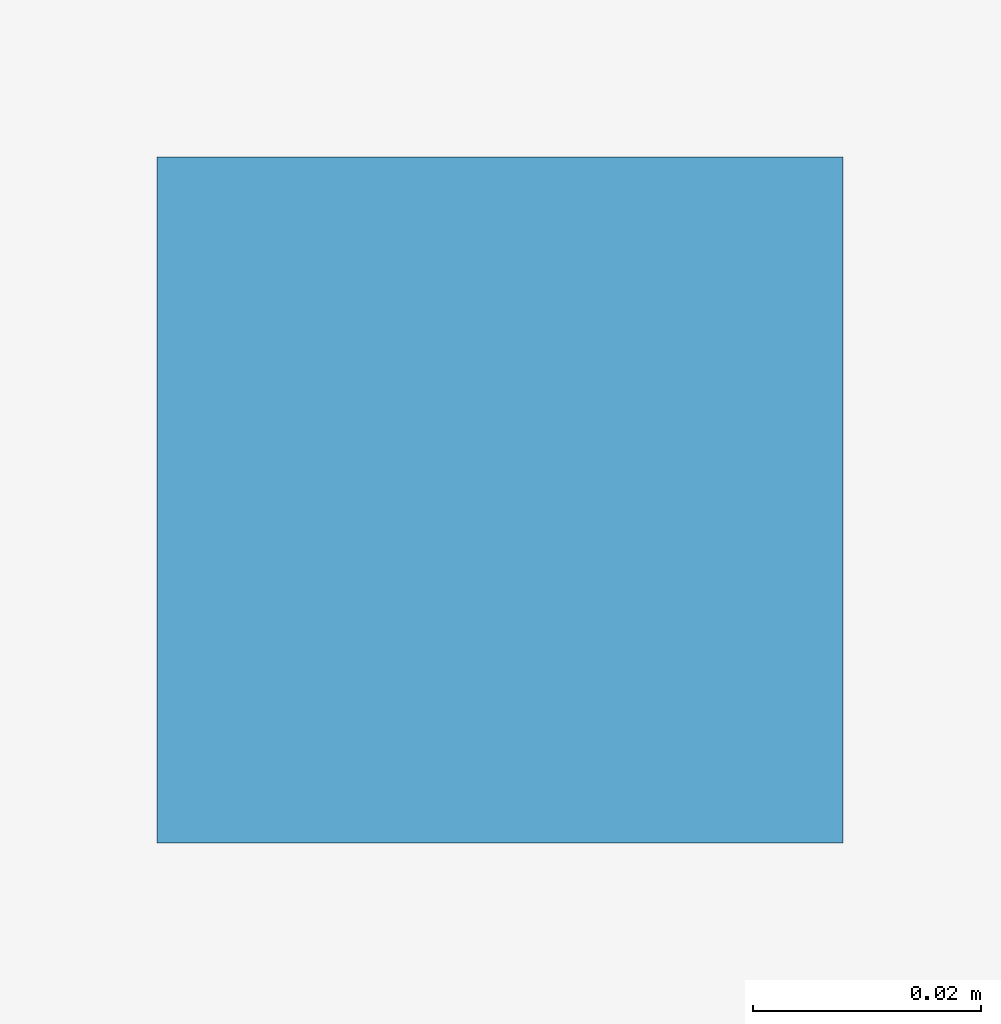
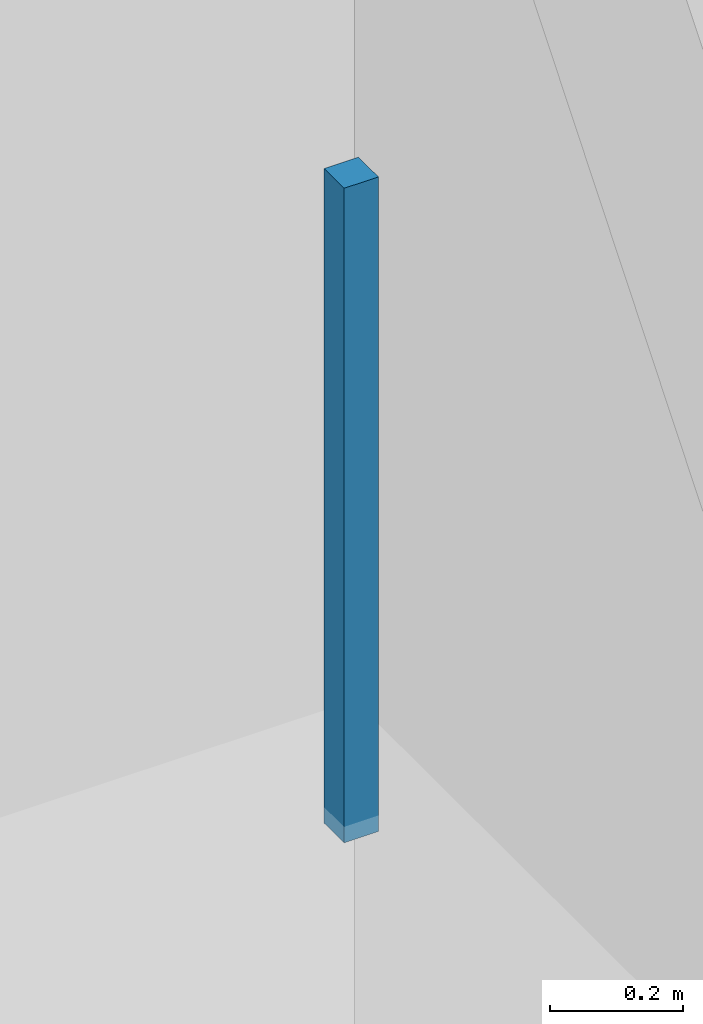
# One storey, part 48 of 59: 1 discrete accessory.
"""IFC4 building model written with IfcOpenShell, lengths in metres."""

import ifcopenshell
import ifcopenshell.guid

model = None  # the IFC model being written
_history = None  # IfcOwnerHistory: only IFC2X3 demands one
_inside = {}  # id of a spatial element -> (the spatial element, [elements in it])
_under = {}  # id of a project, library or spatial element -> (it, [spatial elements below it])
_declared = {}  # id of a project -> (the project, [libraries it declares])
_typed = {}  # id of a type object -> (the type object, [elements of that type])
_made_of = {}  # id of a material, layer set ... -> (it, [elements and type objects made of it])


def new_model(schema):
    """Start an empty IFC model of exactly this schema.

    Asked for "IFC4X3", IfcOpenShell would pick the latest addendum, in which some entities
    have other attributes; the version numbers below select the first issue.
    IFC2X3 requires an IfcOwnerHistory on every rooted entity: one is made here for all.
    """
    global model, _history
    if schema == "IFC4X3":
        model = ifcopenshell.file(schema_version=(4, 3, 0, 0))
    else:
        model = ifcopenshell.file(schema=schema)
    _inside.clear()
    _under.clear()
    _declared.clear()
    _typed.clear()
    _made_of.clear()
    _history = None
    if model.schema == "IFC2X3":
        org = make("IfcOrganization", Name="unknown")
        user = make(
            "IfcPersonAndOrganization",
            ThePerson=make("IfcPerson", FamilyName="unknown"),
            TheOrganization=org,
        )
        app = make(
            "IfcApplication",
            ApplicationDeveloper=org,
            Version="unknown",
            ApplicationFullName="unknown",
            ApplicationIdentifier="unknown",
        )
        _history = make(
            "IfcOwnerHistory",
            OwningUser=user,
            OwningApplication=app,
            ChangeAction="ADDED",
            CreationDate=0,
        )
    return model


def make(cls, **values):
    """One entity of the class cls with the attributes given. An attribute that is None is left unset."""
    return model.create_entity(
        cls, **{name: value for name, value in values.items() if value is not None}
    )


def rooted(cls, **values):
    """An entity with a GlobalId (a new one), such as an element, a storey or a relation."""
    return make(cls, GlobalId=ifcopenshell.guid.new(), OwnerHistory=_history, **values)


def si_unit(unit_type, name, prefix=None):
    """IfcSIUnit, for example si_unit("LENGTHUNIT", "METRE", prefix="MILLI")."""
    return make("IfcSIUnit", UnitType=unit_type, Prefix=prefix, Name=name)


def assignment(units):
    """IfcUnitAssignment: the units of a project."""
    return None if units is None else make("IfcUnitAssignment", Units=units)


def point(xyz):
    """IfcCartesianPoint."""
    return None if xyz is None else make("IfcCartesianPoint", Coordinates=xyz)


def direction(xyz):
    """IfcDirection."""
    return None if xyz is None else make("IfcDirection", DirectionRatios=xyz)


def frame(location, z_axis=None, x_axis=None):
    """IfcAxis2Placement3D, a coordinate frame: its origin and axes. An axis left out is left unset."""
    return make(
        "IfcAxis2Placement3D",
        Location=point(location),
        Axis=direction(z_axis),
        RefDirection=direction(x_axis),
    )


def origin():
    """The frame at (0, 0, 0) with its axes left unset."""
    return frame((0.0, 0.0, 0.0))


def place(relative_to, where):
    """IfcLocalPlacement: puts the frame where relative to a parent placement (None: the world)."""
    return make(
        "IfcLocalPlacement", PlacementRelTo=relative_to, RelativePlacement=where
    )


def context(
    kind, dimensions, precision=None, world=None, true_north=None, identifier=None
):
    """IfcGeometricRepresentationContext, for example the 3D "Model" context."""
    return make(
        "IfcGeometricRepresentationContext",
        ContextIdentifier=identifier,
        ContextType=kind,
        CoordinateSpaceDimension=dimensions,
        Precision=precision,
        WorldCoordinateSystem=world,
        TrueNorth=true_north,
    )


def subcontext(parent, identifier, kind, view, scale=None):
    """IfcGeometricRepresentationSubContext, for example "Body" below "Model"."""
    return make(
        "IfcGeometricRepresentationSubContext",
        ContextIdentifier=identifier,
        ContextType=kind,
        ParentContext=parent,
        TargetScale=scale,
        TargetView=view,
    )


def project(units=None, contexts=None):
    """IfcProject with its units and contexts."""
    return rooted(
        "IfcProject",
        Name="project",
        RepresentationContexts=contexts,
        UnitsInContext=assignment(units),
    )


def spatial(cls, under=None, at=None, **own):
    """A site, building, storey or space (cls), placed at a placement, below another one or the project."""
    s = rooted(cls, ObjectPlacement=at, **own)
    if under is not None:
        _under.setdefault(under.id(), (under, []))[1].append(s)
    return s


def polyline(points):
    """IfcPolyline through the points."""
    return make("IfcPolyline", Points=[point(p) for p in points])


def outline(outer, holes=None, kind="AREA"):
    """IfcArbitraryClosedProfileDef: a profile drawn as a closed curve; with holes, ...WithVoids."""
    if holes is None:
        return make("IfcArbitraryClosedProfileDef", ProfileType=kind, OuterCurve=outer)
    return make(
        "IfcArbitraryProfileDefWithVoids",
        ProfileType=kind,
        OuterCurve=outer,
        InnerCurves=holes,
    )


def extrude(swept, where, along, depth):
    """IfcExtrudedAreaSolid: the profile swept, set in the frame where, extruded along a direction by depth."""
    return make(
        "IfcExtrudedAreaSolid",
        SweptArea=swept,
        Position=where,
        ExtrudedDirection=direction(along),
        Depth=depth,
    )


def shape(context_of_items, identifier, shape_type, items):
    """IfcShapeRepresentation: the items that make up one representation, for example the "Body"."""
    return make(
        "IfcShapeRepresentation",
        ContextOfItems=context_of_items,
        RepresentationIdentifier=identifier,
        RepresentationType=shape_type,
        Items=items,
    )


def material(Name=None, Category=None):
    """IfcMaterial."""
    return make("IfcMaterial", Name=Name, Category=Category)


def made_of(thing, what):
    """Note that an element or type object is made of a material, layer set ...; save() writes the relation."""
    if what is not None:
        _made_of.setdefault(what.id(), (what, []))[1].append(thing)
    return thing


def type_object(cls, material=None, **own):
    """A type object (cls), such as IfcWallType, which elements share."""
    return made_of(rooted(cls, **own), material)


def element(
    cls,
    number,
    at=None,
    inside=None,
    cuts=None,
    type_object=None,
    material=None,
    context=None,
    identifier="Body",
    shape_type=None,
    held_by="IfcProductDefinitionShape",
    body=None,
    shapes=None,
    **own,
):
    """One element of the class cls, such as IfcWall. Its Tag is "e" and its number.

    at: its placement. inside: the storey or other place that contains it. cuts: it is an
    opening in that element (IfcRelVoidsElement). A single representation is given by context,
    identifier, shape_type and body (its items); several are given by shapes. held_by: the class
    of the entity that holds the representations. save() writes the other relations.
    """
    e = rooted(cls, Tag="e%d" % number, ObjectPlacement=at, **own)
    if body is not None:
        shapes = [shape(context, identifier, shape_type, body)]
    if shapes is not None:
        e.Representation = make(held_by, Representations=shapes)
    if inside is not None:
        _inside.setdefault(inside.id(), (inside, []))[1].append(e)
    if cuts is not None:
        rooted(
            "IfcRelVoidsElement", RelatingBuildingElement=cuts, RelatedOpeningElement=e
        )
    if type_object is not None:
        _typed.setdefault(type_object.id(), (type_object, []))[1].append(e)
    return made_of(e, material)


def aggregate(whole, parts):
    """IfcRelAggregates: a whole, such as a stair, and the parts it consists of."""
    return rooted("IfcRelAggregates", RelatingObject=whole, RelatedObjects=parts)


def save(model, path):
    """Write the relations noted so far, then the file.

    IfcRelAggregates (storeys below a building ...), IfcRelContainedInSpatialStructure (elements
    in a storey), IfcRelDefinesByType, IfcRelAssociatesMaterial and IfcRelDeclares: one each for
    every whole, place, type object, material and project.
    """
    for whole, parts in _under.values():
        aggregate(whole, parts)
    for where, things in _inside.values():
        rooted(
            "IfcRelContainedInSpatialStructure",
            RelatedElements=things,
            RelatingStructure=where,
        )
    for kind, things in _typed.values():
        rooted("IfcRelDefinesByType", RelatedObjects=things, RelatingType=kind)
    for what, things in _made_of.values():
        rooted("IfcRelAssociatesMaterial", RelatedObjects=things, RelatingMaterial=what)
    for by, libraries in _declared.values():
        rooted("IfcRelDeclares", RelatingContext=by, RelatedDefinitions=libraries)
    model.write(path)


model = new_model("IFC4")

# Units and contexts
model_context = context("Model", 3, precision=1e-05, world=origin(), true_north=direction((0.0, 1.0)))
body_context = subcontext(model_context, "Body", "Model", "MODEL_VIEW")
ifc_project = project(units=[si_unit("LENGTHUNIT", "METRE"), si_unit("AREAUNIT", "SQUARE_METRE"), si_unit("VOLUMEUNIT", "CUBIC_METRE"), si_unit("PLANEANGLEUNIT", "RADIAN"), si_unit("MASSUNIT", "GRAM", prefix="KILO")], contexts=[model_context])

# Site, building, storey
site_placement = place(None, origin())
site = spatial("IfcSite", under=ifc_project, at=site_placement, CompositionType="ELEMENT")
building_placement = place(site_placement, origin())
building = spatial("IfcBuilding", under=site, at=building_placement, Name="Dunescarp Central Library", CompositionType="ELEMENT")
storey_placement = place(building_placement, frame((0.0, 0.0, 18.60009765625)))
storey = spatial("IfcBuildingStorey", under=building, at=storey_placement, Name="L04", CompositionType="ELEMENT", Elevation=18.60009765625)

# Discrete accessory
ifc_material = material(Name="Stainless steel Grade 316L", Category="steel")
discrete_accessory_type = type_object("IfcDiscreteAccessoryType", Name="ARC-ACC-BRK", PredefinedType="BRACKET", material=ifc_material)
discrete_accessory_placement = place(storey_placement, frame((0.0, 0.0, 3.059814453125)))
element("IfcDiscreteAccessory", 1, at=discrete_accessory_placement, inside=storey, type_object=discrete_accessory_type, Name="L04 ceiling hanger CLG-L04-112-H2", PredefinedType="BRACKET", context=body_context, shape_type="SweptSolid", body=[
    extrude(outline(polyline([(106.919921875, 28.3798828125), (106.97998046875, 28.3798828125), (106.97998046875, 28.43994140625), (106.919921875, 28.43994140625), (106.919921875, 28.3798828125)])), origin(), (0.0, 0.0, 1.0), 1.2060546875),
])

save(model, "model.ifc")
